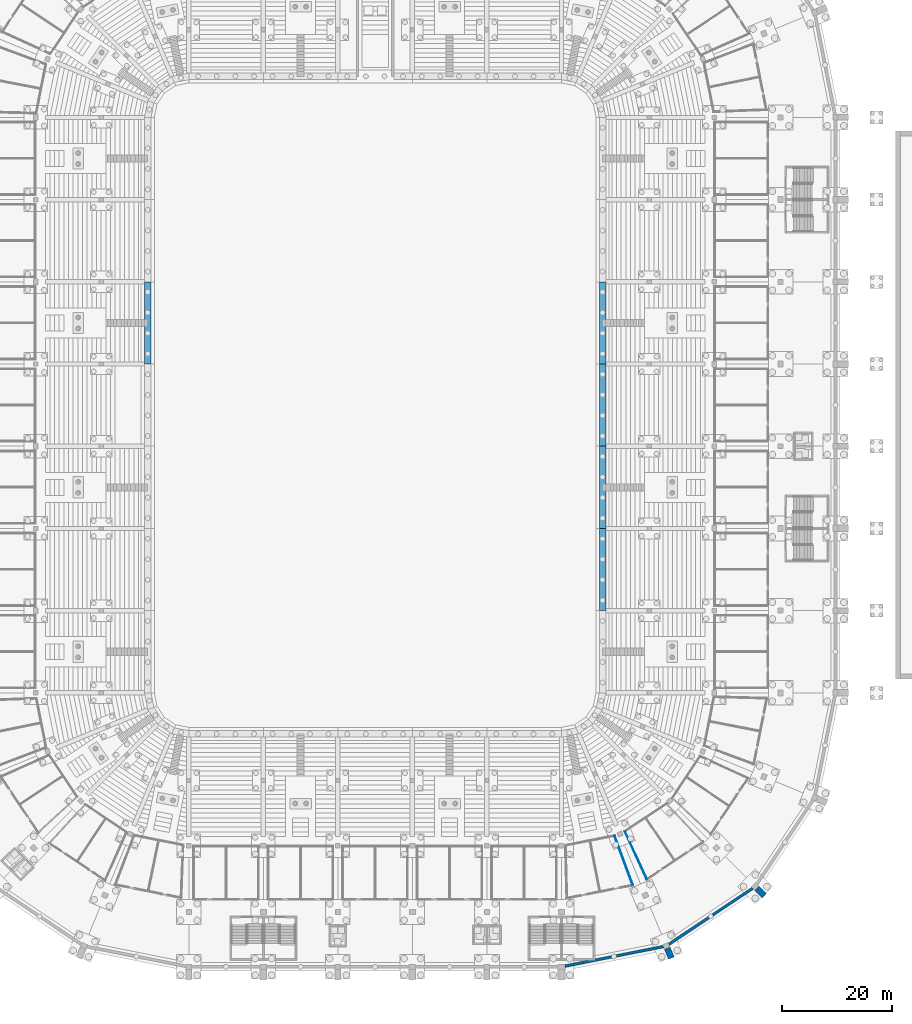
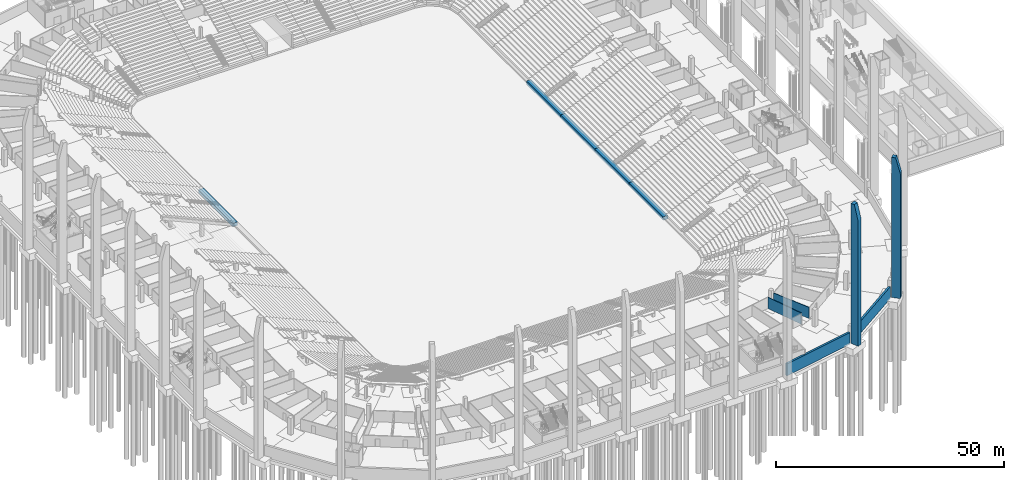
# One storey, part 26 of 115: 11 walls.
"""IFC4 building model written with IfcOpenShell, lengths in metres."""

from ifc_helpers import new_model, si_unit, direction, frame, frame_2d, origin, place, context, subcontext, project, spatial, polyline, rectangle, outline, extrude, material, layer, layer_set, type_object, element, save


model = new_model("IFC4")

# Units and contexts
model_context = context("Model", 3, precision=1e-05, world=origin(), true_north=direction((0.0, 1.0)))
body_context = subcontext(model_context, "Body", "Model", "MODEL_VIEW")
ifc_project = project(units=[si_unit("LENGTHUNIT", "METRE"), si_unit("AREAUNIT", "SQUARE_METRE"), si_unit("VOLUMEUNIT", "CUBIC_METRE"), si_unit("PLANEANGLEUNIT", "RADIAN"), si_unit("MASSUNIT", "GRAM", prefix="KILO")], contexts=[model_context])

# Site, building, storey
site_placement = place(None, origin())
site = spatial("IfcSite", under=ifc_project, at=site_placement, CompositionType="ELEMENT")
building_placement = place(site_placement, origin())
building = spatial("IfcBuilding", under=site, at=building_placement, Name="Ogive Plaza Stadium", CompositionType="ELEMENT")
storey_placement = place(building_placement, frame((0.0, 0.0, -4.5)))
storey = spatial("IfcBuildingStorey", under=building, at=storey_placement, Name="B1", CompositionType="ELEMENT", Elevation=-4.5)

# Walls
ifc_material_1 = material(Name="Masonry blockwork", Category="masonry")
ifc_layer_1 = layer(ifc_material_1, 0.14990234375)
ifc_layer_set_1 = layer_set([ifc_layer_1], Name="Blockwork wall 150")
wall_type_1 = type_object("IfcWallType", Name="Blockwork wall 150", PredefinedType="SOLIDWALL", material=ifc_layer_set_1)
wall_1_placement = place(storey_placement, frame((43.71142578125, -78.643310546875, 0.0), z_axis=(0.0, 0.0, 1.0), x_axis=(0.348225298515, -0.937410871216, 0.0)))
element("IfcWall", 1, at=wall_1_placement, inside=storey, type_object=wall_type_1, Name="Wall B1 B11", PredefinedType="SOLIDWALL", context=body_context, shape_type="SweptSolid", body=[
    extrude(rectangle(XDim=9.486572265625, YDim=0.14990234375, at=frame_2d((4.7431640625, 0.0))), origin(), (0.0, 0.0, 1.0), 3.0),
])
ifc_material_2 = material(Name="Concrete C45/55 precast", Category="concrete")
ifc_layer_2 = layer(ifc_material_2, 1.050048828125)
ifc_material_3 = material(Name="Cast stone (reconstituted limestone)", Category="masonry")
ifc_layer_3 = layer(ifc_material_3, 0.050048828125)
ifc_layer_set_2 = layer_set([ifc_layer_2, ifc_layer_3], Name="Concrete C45/55 precast, cast stone facing")
wall_type_2 = type_object("IfcWallType", Name="Buttress pier 1100", PredefinedType="SOLIDWALL", material=ifc_layer_set_2)
wall_2_placement = place(storey_placement, frame((69.673583984375, -88.173583984375, 0.0), z_axis=(0.0, 0.0, 1.0), x_axis=(0.707106781187, -0.707106781187, 0.0)))
element("IfcWall", 2, at=wall_2_placement, inside=storey, type_object=wall_type_2, Name="BUTTRESS PIER R10", PredefinedType="SOLIDWALL", context=body_context, shape_type="SweptSolid", body=[
    extrude(outline(polyline([(0.0, 0.0), (1.949951171875, 0.0), (1.949951171875, 33.5), (0.89990234375, 37.5), (0.0, 37.5), (0.0, 0.0)])), frame((0.0, 0.550048828125, 0.0), z_axis=(0.0, -1.0, 0.0), x_axis=(1.0, 0.0, 0.0)), (0.0, 0.0, 1.0), 1.10009765625),
])
wall_3_placement = place(storey_placement, frame((53.306396484375, -99.109619140625, 0.0), z_axis=(0.0, 0.0, 1.0), x_axis=(0.38258767561, -0.923919190445, 0.0)))
element("IfcWall", 3, at=wall_3_placement, inside=storey, type_object=wall_type_2, Name="BUTTRESS PIER R11", PredefinedType="SOLIDWALL", context=body_context, shape_type="SweptSolid", body=[
    extrude(outline(polyline([(0.0, 0.0), (1.9501953125, 0.0), (1.949951171875, 33.5), (0.89990234375, 37.5), (0.0, 37.5), (0.0, 0.0)])), frame((0.0, 0.550048828125, 0.0), z_axis=(0.0, -1.0, 0.0), x_axis=(1.0, 0.0, 0.0)), (0.0, 0.0, 1.0), 1.10009765625),
])
ifc_material_4 = material(Name="Gypsum board partition", Category="gypsum")
ifc_layer_4 = layer(ifc_material_4, 0.14990234375)
ifc_layer_set_3 = layer_set([ifc_layer_4], Name="Partition 150")
wall_type_3 = type_object("IfcWallType", Name="Partition 150", PredefinedType="PARTITIONING", material=ifc_layer_set_3)
wall_4_placement = place(storey_placement, frame((45.619140625, -77.85302734375, 0.0), z_axis=(0.0, 0.0, 1.0), x_axis=(0.416598882755, -0.909090408533, 0.0)))
element("IfcWall", 4, at=wall_4_placement, inside=storey, type_object=wall_type_3, Name="Wall B1 B10", PredefinedType="PARTITIONING", context=body_context, shape_type="SweptSolid", body=[
    extrude(rectangle(XDim=9.48681640625, YDim=0.14990234375, at=frame_2d((4.743408203125, 0.0))), origin(), (0.0, 0.0, 1.0), 3.0),
])
ifc_material_5 = material(Name="Concrete C40/50", Category="concrete")
ifc_layer_5 = layer(ifc_material_5, 1.199951171875)
ifc_layer_set_4 = layer_set([ifc_layer_5], Name="Concrete C40/50")
wall_type_4 = type_object("IfcWallType", Name="RC front wall 1200", PredefinedType="SOLIDWALL", material=ifc_layer_set_4)
wall_5_placement = place(storey_placement, frame((0.0, 0.0, -0.39990234375)))
element("IfcWall", 5, at=wall_5_placement, inside=storey, type_object=wall_type_4, Name="Front wall B03", PredefinedType="SOLIDWALL", context=body_context, shape_type="SweptSolid", body=[
    extrude(outline(polyline([(40.89990234375, 7.5), (42.10009765625, 7.5), (42.10009765625, 22.5), (40.89990234375, 22.5), (40.89990234375, 7.5)])), origin(), (0.0, 0.0, 1.0), 0.949951171875),
])
wall_6_placement = place(storey_placement, frame((0.0, 0.0, -0.39990234375)))
element("IfcWall", 6, at=wall_6_placement, inside=storey, type_object=wall_type_4, Name="Front wall B04", PredefinedType="SOLIDWALL", context=body_context, shape_type="SweptSolid", body=[
    extrude(outline(polyline([(40.89990234375, -7.5), (42.10009765625, -7.5), (42.10009765625, 7.5), (40.89990234375, 7.5), (40.89990234375, -7.5)])), origin(), (0.0, 0.0, 1.0), 0.949951171875),
])
wall_7_placement = place(storey_placement, frame((0.0, 0.0, -0.39990234375)))
element("IfcWall", 7, at=wall_7_placement, inside=storey, type_object=wall_type_4, Name="Front wall B05", PredefinedType="SOLIDWALL", context=body_context, shape_type="SweptSolid", body=[
    extrude(outline(polyline([(40.89990234375, -22.5), (42.10009765625, -22.5), (42.10009765625, -7.5), (40.89990234375, -7.5), (40.89990234375, -22.5)])), origin(), (0.0, 0.0, 1.0), 0.949951171875),
])
wall_8_placement = place(storey_placement, frame((0.0, 0.0, -0.39990234375)))
element("IfcWall", 8, at=wall_8_placement, inside=storey, type_object=wall_type_4, Name="Front wall B06", PredefinedType="SOLIDWALL", context=body_context, shape_type="SweptSolid", body=[
    extrude(outline(polyline([(40.89990234375, -37.5), (42.10009765625, -37.5), (42.10009765625, -22.5), (40.89990234375, -22.5), (40.89990234375, -37.5)])), origin(), (0.0, 0.0, 1.0), 0.949951171875),
])
wall_9_placement = place(storey_placement, frame((0.0, 0.0, -0.39990234375)))
element("IfcWall", 9, at=wall_9_placement, inside=storey, type_object=wall_type_4, Name="Front wall B25", PredefinedType="SOLIDWALL", context=body_context, shape_type="SweptSolid", body=[
    extrude(outline(polyline([(-40.89990234375, 22.5), (-42.10009765625, 22.5), (-42.10009765625, 7.5), (-40.89990234375, 7.5), (-40.89990234375, 22.5)])), origin(), (0.0, 0.0, 1.0), 0.949951171875),
])
ifc_material_6 = material(Name="Concrete C40/50", Category="concrete")
ifc_layer_6 = layer(ifc_material_6, 0.5)
ifc_layer_set_5 = layer_set([ifc_layer_6], Name="Concrete C40/50")
wall_type_5 = type_object("IfcWallType", Name="RC retaining wall 500 A", PredefinedType="SOLIDWALL", material=ifc_layer_set_5)
wall_10_placement = place(storey_placement, frame((0.0, 0.0, -0.39990234375)))
element("IfcWall", 10, at=wall_10_placement, inside=storey, type_object=wall_type_5, Name="Retaining wall B10", PredefinedType="SOLIDWALL", context=body_context, shape_type="SweptSolid", body=[
    extrude(outline(polyline([(53.5048828125, -98.1513671875), (53.696044921875, -98.61328125), (69.06591796875, -88.34375), (68.71240234375, -87.989990234375), (53.5048828125, -98.1513671875)])), origin(), (0.0, 0.0, 1.0), 3.18994140625),
])
wall_11_placement = place(storey_placement, frame((0.0, 0.0, -0.39990234375)))
element("IfcWall", 11, at=wall_11_placement, inside=storey, type_object=wall_type_5, Name="Retaining wall B11", PredefinedType="SOLIDWALL", context=body_context, shape_type="SweptSolid", body=[
    extrude(outline(polyline([(52.488525390625, -98.572509765625), (40.074951171875, -101.04150390625), (40.074951171875, -101.260009765625), (38.97705078125, -101.260009765625), (34.60009765625, -102.130615234375), (34.60009765625, -102.630615234375), (52.679931640625, -99.034423828125), (52.488525390625, -98.572509765625)])), origin(), (0.0, 0.0, 1.0), 3.18994140625),
])

save(model, "model.ifc")
